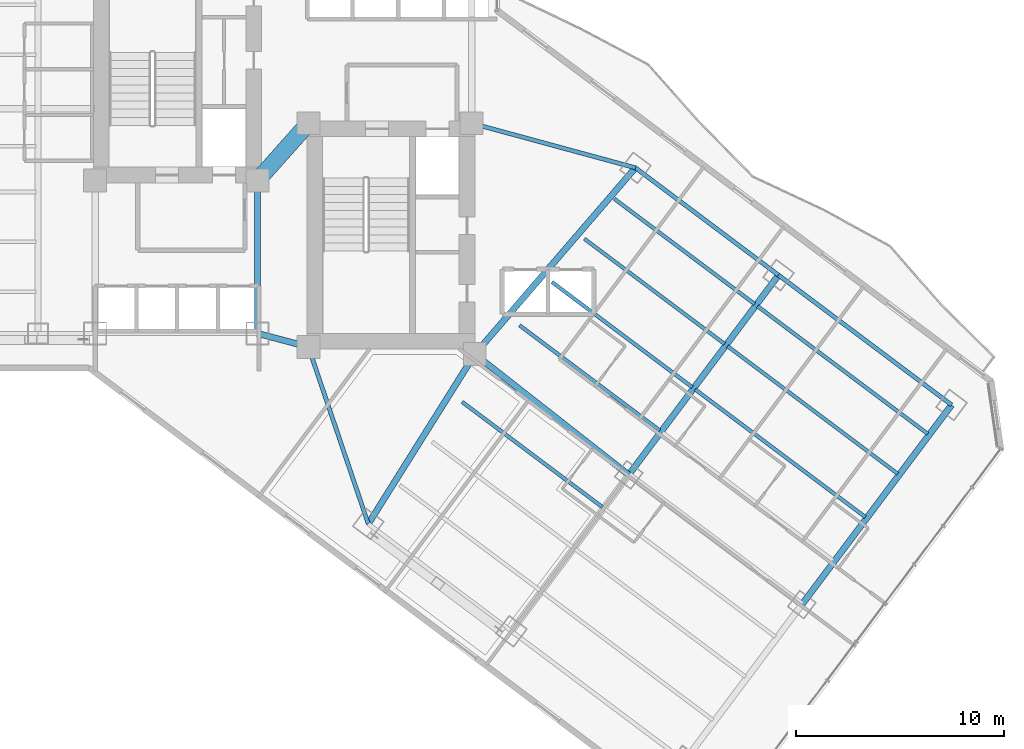
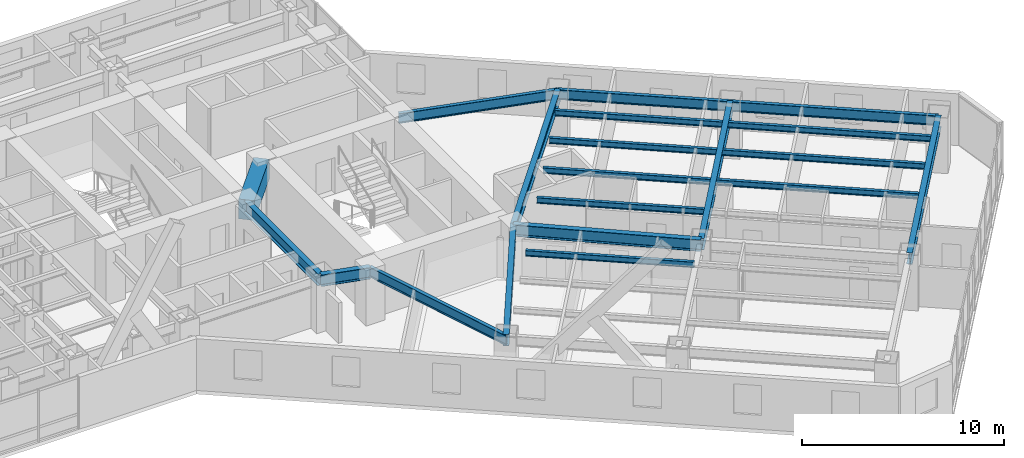
# One storey, part 11 of 33: 20 beams.
"""IFC4 building model written with IfcOpenShell, lengths in metres."""

from ifc_helpers import new_model, si_unit, direction, frame, origin, origin_2d, place, context, subcontext, project, spatial, rectangle, i_section, extrude, material, material_profile, profile_set, type_object, element, save


model = new_model("IFC4")

# Units and contexts
model_context = context("Model", 3, precision=1e-05, world=origin(), true_north=direction((0.0, 1.0)))
body_context = subcontext(model_context, "Body", "Model", "MODEL_VIEW")
ifc_project = project(units=[si_unit("LENGTHUNIT", "METRE"), si_unit("AREAUNIT", "SQUARE_METRE"), si_unit("VOLUMEUNIT", "CUBIC_METRE"), si_unit("PLANEANGLEUNIT", "RADIAN"), si_unit("MASSUNIT", "GRAM", prefix="KILO")], contexts=[model_context])

# Site, building, storey
site_placement = place(None, origin())
site = spatial("IfcSite", under=ifc_project, at=site_placement, CompositionType="ELEMENT")
building_placement = place(site_placement, origin())
building = spatial("IfcBuilding", under=site, at=building_placement, Name="Hatsunagi Terrace Concourse", CompositionType="ELEMENT")
storey_placement = place(building_placement, frame((0.0, 0.0, 43.300048828125)))
storey = spatial("IfcBuildingStorey", under=building, at=storey_placement, Name="L10", CompositionType="ELEMENT", Elevation=43.300048828125)

# Beams
ifc_material_1 = material(Name="Concrete Fc60", Category="concrete")
ifc_material_profile_1 = material_profile(ifc_material_1, rectangle(XDim=0.800048828125, YDim=1.199951171875, at=origin_2d()), Name="RC-800x1200")
ifc_profile_set_1 = profile_set([ifc_material_profile_1], Name="Concrete Fc60")
beam_type_1 = type_object("IfcBeamType", Name="CoreCouplingBeam_RC_800x1200", PredefinedType="BEAM", material=ifc_profile_set_1)
beam_1_placement = place(storey_placement, frame((33.35009765625, 32.550048828125, 2.530029296875), z_axis=(0.665198651008, 0.746666427997, 0.0), x_axis=(-0.746666427997, 0.665198651008, 0.0)))
element("IfcBeam", 1, at=beam_1_placement, inside=storey, type_object=beam_type_1, Name="Beam CB-01 CB-L10-1", PredefinedType="BEAM", context=body_context, shape_type="SweptSolid", body=[
    extrude(rectangle(XDim=0.800048828125, YDim=1.199951171875, at=origin_2d()), origin(), (0.0, 0.0, 1.0), 3.68310546875),
])
ifc_material_2 = material(Name="Steel SN490B", Category="steel")
ifc_material_profile_2 = material_profile(ifc_material_2, i_section(OverallWidth=0.300048828125, OverallDepth=0.699951171875, WebThickness=0.012939453125, FlangeThickness=0.02392578125, FilletRadius=0.02197265625, at=origin_2d()), Name="H-700x300x13x24")
ifc_profile_set_2 = profile_set([ifc_material_profile_2], Name="Steel SN490B")
beam_type_2 = type_object("IfcBeamType", Name="HotelFloorGirder_H_700x300", PredefinedType="BEAM", material=ifc_profile_set_2)
beam_2_placement = place(storey_placement, frame((33.35009765625, 25.199951171875, 2.780029296875), z_axis=(0.0, 1.0, 0.0), x_axis=(-1.0, 0.0, 0.0)))
element("IfcBeam", 2, at=beam_2_placement, inside=storey, type_object=beam_type_2, Name="Beam G-04 BM-L10-K2CA", PredefinedType="BEAM", context=body_context, shape_type="SweptSolid", body=[
    extrude(i_section(OverallWidth=0.300048828125, OverallDepth=0.699951171875, WebThickness=0.012939453125, FlangeThickness=0.02392578125, FilletRadius=0.02197265625, at=origin_2d()), origin(), (0.0, 0.0, 1.0), 7.35009765625),
])
beam_3_placement = place(storey_placement, frame((33.35009765625, 25.199951171875, 2.780029296875), z_axis=(0.966569840116, -0.256403479262, 0.0), x_axis=(0.256403479262, 0.966569840116, 0.0)))
element("IfcBeam", 3, at=beam_3_placement, inside=storey, type_object=beam_type_2, Name="Beam G-04 BM-L10-K2CB", PredefinedType="BEAM", context=body_context, shape_type="SweptSolid", body=[
    extrude(i_section(OverallWidth=0.300048828125, OverallDepth=0.699951171875, WebThickness=0.012939453125, FlangeThickness=0.02392578125, FilletRadius=0.02197265625, at=origin_2d()), origin(), (0.0, 0.0, 1.0), 2.53466796875),
])
beam_4_placement = place(storey_placement, frame((38.679931640625, 16.0400390625, 2.780029296875), z_axis=(0.531503907049, 0.847055840421, 0.0), x_axis=(-0.847055840421, 0.531503907049, 0.0)))
element("IfcBeam", 4, at=beam_4_placement, inside=storey, type_object=beam_type_2, Name="Beam G-04 BM-L10-SET-1A", PredefinedType="BEAM", context=body_context, shape_type="SweptSolid", body=[
    extrude(i_section(OverallWidth=0.300048828125, OverallDepth=0.699951171875, WebThickness=0.012939453125, FlangeThickness=0.02392578125, FilletRadius=0.02197265625, at=origin_2d()), origin(), (0.0, 0.0, 1.0), 9.63330078125),
])
beam_5_placement = place(storey_placement, frame((43.800048828125, 24.199951171875, 2.780029296875), z_axis=(0.652739101421, 0.757582777969, 0.0), x_axis=(-0.757582777969, 0.652739101421, 0.0)))
element("IfcBeam", 5, at=beam_5_placement, inside=storey, type_object=beam_type_2, Name="Beam G-04 BM-L10-SET-1B", PredefinedType="BEAM", context=body_context, shape_type="SweptSolid", body=[
    extrude(i_section(OverallWidth=0.300048828125, OverallDepth=0.699951171875, WebThickness=0.012939453125, FlangeThickness=0.02392578125, FilletRadius=0.02197265625, at=origin_2d()), origin(), (0.0, 0.0, 1.0), 11.8271484375),
])
beam_6_placement = place(storey_placement, frame((43.800048828125, 24.199951171875, 2.780029296875), z_axis=(0.787049441068, -0.616889923175, 0.0), x_axis=(0.616889923175, 0.787049441068, 0.0)))
element("IfcBeam", 6, at=beam_6_placement, inside=storey, type_object=beam_type_2, Name="Beam G-04 BM-L10-SE-M2", PredefinedType="BEAM", context=body_context, shape_type="SweptSolid", body=[
    extrude(i_section(OverallWidth=0.300048828125, OverallDepth=0.699951171875, WebThickness=0.012939453125, FlangeThickness=0.02392578125, FilletRadius=0.02197265625, at=origin_2d()), origin(), (0.0, 0.0, 1.0), 9.402099609375),
])
for number, where, z_axis, x_axis, name in (
    (7, (51.199951171875, 18.39990234375, 2.780029296875), (0.59999348959, 0.800004882766, 0.0), (-0.800004882766, 0.59999348959, 0.0), "Beam G-04 BM-L10-SET-2B"),
    (8, (59.52001953125, 12.159912109375, 2.780029296875), (0.59999348959, 0.800004882766, 0.0), (-0.800004882766, 0.59999348959, 0.0), "Beam G-04 BM-L10-SET-3B"),
):
    element("IfcBeam", number, at=place(storey_placement, frame(where, z_axis=z_axis, x_axis=x_axis)), inside=storey, type_object=beam_type_2, Name=name, PredefinedType="BEAM", context=body_context, shape_type="SweptSolid", body=[
        extrude(i_section(OverallWidth=0.300048828125, OverallDepth=0.699951171875, WebThickness=0.012939453125, FlangeThickness=0.02392578125, FilletRadius=0.02197265625, at=origin_2d()), origin(), (0.0, 0.0, 1.0), 12.0),
    ])
ifc_material_3 = material(Name="Steel SN490B", Category="steel")
ifc_material_profile_3 = material_profile(ifc_material_3, i_section(OverallWidth=0.175048828125, OverallDepth=0.35009765625, WebThickness=0.007080078125, FlangeThickness=0.010986328125, FilletRadius=0.012939453125, at=origin_2d()), Name="H-350x175x7x11")
ifc_profile_set_3 = profile_set([ifc_material_profile_3], Name="Steel SN490B")
beam_type_3 = type_object("IfcBeamType", Name="HotelJoist_H_350x175", PredefinedType="JOIST", material=ifc_profile_set_3)
for number, where, z_axis, x_axis, name in (
    (9, (43.18798828125, 21.908935546875, 2.954833984375), (0.800003475366, -0.59999536615, 0.0), (0.59999536615, 0.800003475366, 0.0), "Beam J-02 J-L10-SE-2-96"),
    (10, (45.947998046875, 25.589111328125, 2.954833984375), (0.799989573921, -0.600013901187, 0.0), (0.600013901187, 0.799989573921, 0.0), "Beam J-02 J-L10-SE-2-142"),
    (11, (47.508056640625, 27.6689453125, 2.954833984375), (0.800003475366, -0.59999536615, 0.0), (0.59999536615, 0.800003475366, 0.0), "Beam J-02 J-L10-SE-2-168"),
    (12, (49.068115234375, 29.7490234375, 2.954833984375), (0.799989573921, -0.600013901187, 0.0), (0.600013901187, 0.799989573921, 0.0), "Beam J-02 J-L10-SE-2-194"),
    (13, (50.508056640625, 31.6689453125, 2.954833984375), (0.800003475366, -0.59999536615, 0.0), (0.59999536615, 0.800003475366, 0.0), "Beam J-02 J-L10-SE-2-218"),
):
    element("IfcBeam", number, at=place(storey_placement, frame(where, z_axis=z_axis, x_axis=x_axis)), inside=storey, type_object=beam_type_3, Name=name, PredefinedType="JOIST", context=body_context, shape_type="SweptSolid", body=[
        extrude(i_section(OverallWidth=0.175048828125, OverallDepth=0.35009765625, WebThickness=0.007080078125, FlangeThickness=0.010986328125, FilletRadius=0.012939453125, at=origin_2d()), origin(), (0.0, 0.0, 1.0), 8.429931640625),
    ])
beam_7_placement = place(storey_placement, frame((54.387939453125, 22.509033203125, 2.954833984375), z_axis=(0.800005727586, -0.599992363142, 0.0), x_axis=(0.599992363142, 0.800005727586, 0.0)))
element("IfcBeam", 14, at=beam_7_placement, inside=storey, type_object=beam_type_3, Name="Beam J-02 J-L10-SE-3-168", PredefinedType="JOIST", context=body_context, shape_type="SweptSolid", body=[
    extrude(i_section(OverallWidth=0.175048828125, OverallDepth=0.35009765625, WebThickness=0.007080078125, FlangeThickness=0.010986328125, FilletRadius=0.012939453125, at=origin_2d()), origin(), (0.0, 0.0, 1.0), 10.22998046875),
])
beam_8_placement = place(storey_placement, frame((55.947998046875, 24.589111328125, 2.954833984375), z_axis=(0.799994272423, -0.600007636694, 0.0), x_axis=(0.600007636694, 0.799994272423, 0.0)))
element("IfcBeam", 15, at=beam_8_placement, inside=storey, type_object=beam_type_3, Name="Beam J-02 J-L10-SE-3-194", PredefinedType="JOIST", context=body_context, shape_type="SweptSolid", body=[
    extrude(i_section(OverallWidth=0.175048828125, OverallDepth=0.35009765625, WebThickness=0.007080078125, FlangeThickness=0.010986328125, FilletRadius=0.012939453125, at=origin_2d()), origin(), (0.0, 0.0, 1.0), 10.230224609375),
])
beam_9_placement = place(storey_placement, frame((57.387939453125, 26.509033203125, 2.954833984375), z_axis=(0.800005727586, -0.599992363142, 0.0), x_axis=(0.599992363142, 0.800005727586, 0.0)))
element("IfcBeam", 16, at=beam_9_placement, inside=storey, type_object=beam_type_3, Name="Beam J-02 J-L10-SE-3-218", PredefinedType="JOIST", context=body_context, shape_type="SweptSolid", body=[
    extrude(i_section(OverallWidth=0.175048828125, OverallDepth=0.35009765625, WebThickness=0.007080078125, FlangeThickness=0.010986328125, FilletRadius=0.012939453125, at=origin_2d()), origin(), (0.0, 0.0, 1.0), 10.22998046875),
])
ifc_material_4 = material(Name="Steel SN490B", Category="steel")
ifc_material_profile_4 = material_profile(ifc_material_4, i_section(OverallWidth=0.199951171875, OverallDepth=0.60009765625, WebThickness=0.010986328125, FlangeThickness=0.01708984375, FilletRadius=0.01806640625, at=origin_2d()), Name="H-600x200x11x17")
ifc_profile_set_4 = profile_set([ifc_material_profile_4], Name="Steel SN490B")
beam_type_4 = type_object("IfcBeamType", Name="PerimeterSpandrel_H_600x200", PredefinedType="SPANDREL", material=ifc_profile_set_4)
beam_10_placement = place(storey_placement, frame((35.800048828125, 24.550048828125, 2.829833984375), z_axis=(0.320553412271, -0.947230441805, 0.0), x_axis=(0.947230441805, 0.320553412271, 0.0)))
element("IfcBeam", 17, at=beam_10_placement, inside=storey, type_object=beam_type_4, Name="Beam SP-01 BM-L10-SE-SW0", PredefinedType="SPANDREL", context=body_context, shape_type="SweptSolid", body=[
    extrude(i_section(OverallWidth=0.199951171875, OverallDepth=0.60009765625, WebThickness=0.010986328125, FlangeThickness=0.01708984375, FilletRadius=0.01806640625, at=origin_2d()), origin(), (0.0, 0.0, 1.0), 8.984130859375),
])
beam_11_placement = place(storey_placement, frame((43.64990234375, 35.300048828125, 2.829833984375), z_axis=(0.964958359286, -0.262403057994, 0.0), x_axis=(0.262403057994, 0.964958359286, 0.0)))
element("IfcBeam", 18, at=beam_11_placement, inside=storey, type_object=beam_type_4, Name="Beam SP-01 BM-L10-SE-NE0", PredefinedType="SPANDREL", context=body_context, shape_type="SweptSolid", body=[
    extrude(i_section(OverallWidth=0.199951171875, OverallDepth=0.60009765625, WebThickness=0.010986328125, FlangeThickness=0.01708984375, FilletRadius=0.01806640625, at=origin_2d()), origin(), (0.0, 0.0, 1.0), 8.156005859375),
])
beam_12_placement = place(storey_placement, frame((51.52001953125, 33.159912109375, 2.829833984375), z_axis=(0.8, -0.6, 0.0), x_axis=(0.6, 0.8, 0.0)))
element("IfcBeam", 19, at=beam_12_placement, inside=storey, type_object=beam_type_4, Name="Beam SP-01 BM-L10-SE-NE2", PredefinedType="SPANDREL", context=body_context, shape_type="SweptSolid", body=[
    extrude(i_section(OverallWidth=0.199951171875, OverallDepth=0.60009765625, WebThickness=0.010986328125, FlangeThickness=0.01708984375, FilletRadius=0.01806640625, at=origin_2d()), origin(), (0.0, 0.0, 1.0), 8.599853515625),
])
beam_13_placement = place(storey_placement, frame((58.39990234375, 28.0, 2.829833984375), z_axis=(0.800002816985, -0.599996244001, 0.0), x_axis=(0.599996244001, 0.800002816985, 0.0)))
element("IfcBeam", 20, at=beam_13_placement, inside=storey, type_object=beam_type_4, Name="Beam SP-01 BM-L10-SE-NE3", PredefinedType="SPANDREL", context=body_context, shape_type="SweptSolid", body=[
    extrude(i_section(OverallWidth=0.199951171875, OverallDepth=0.60009765625, WebThickness=0.010986328125, FlangeThickness=0.01708984375, FilletRadius=0.01806640625, at=origin_2d()), origin(), (0.0, 0.0, 1.0), 10.400146484375),
])

save(model, "model.ifc")
